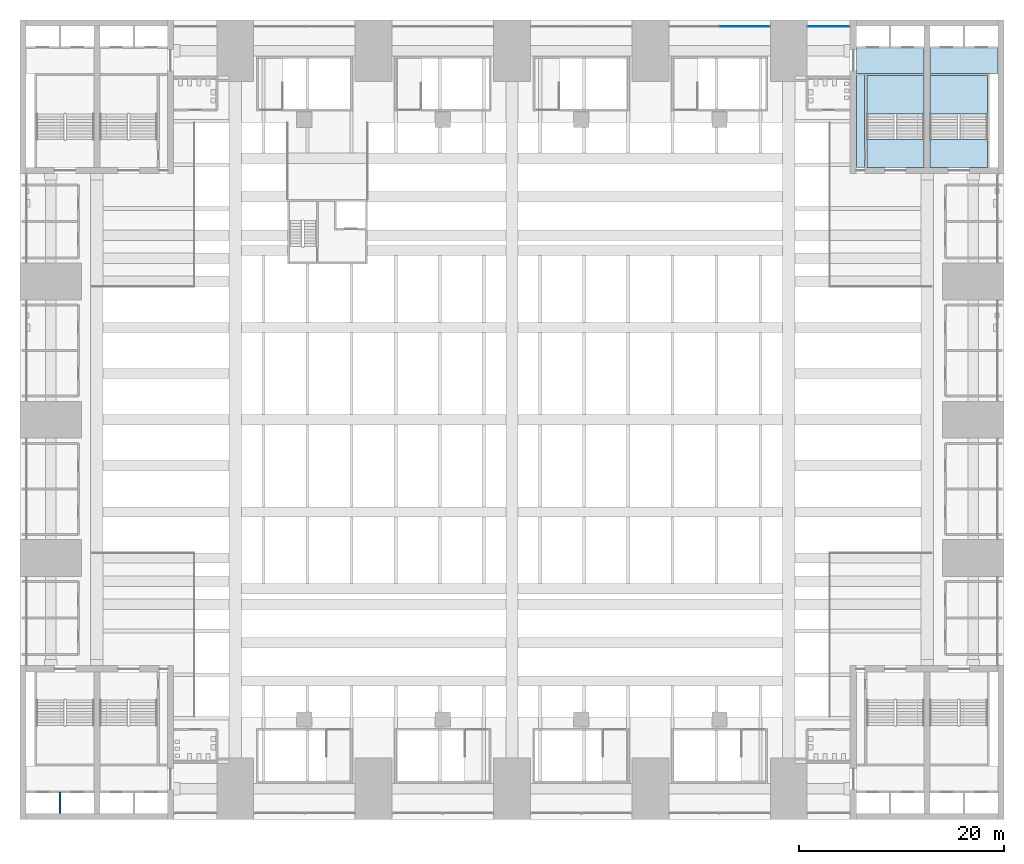
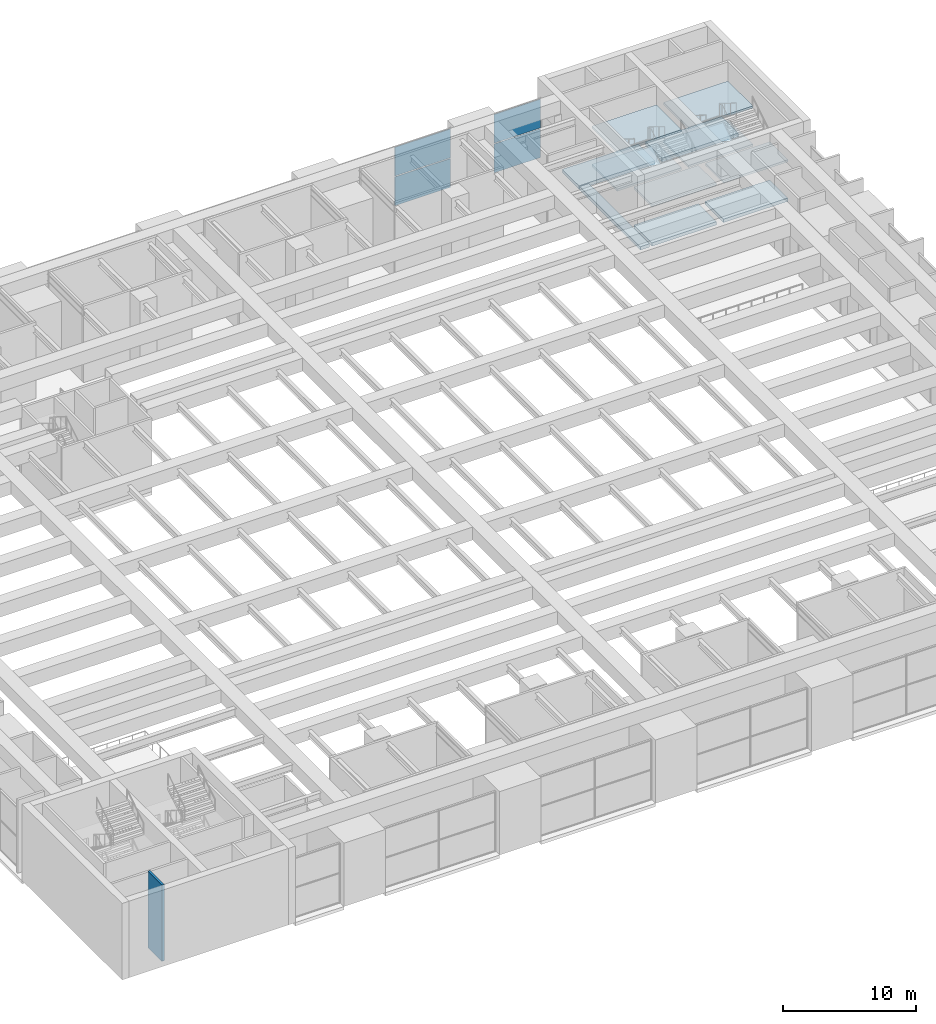
# One storey, part 24 of 45: 11 slabs, 4 plates, 1 wall, 4 elements without a shape of their own.
"""IFC4 building model written with IfcOpenShell, lengths in metres."""

from ifc_helpers import new_model, si_unit, direction, frame, frame_2d, origin, origin_2d, place, context, subcontext, project, spatial, polyline, rectangle, outline, extrude, material, layer, layer_set, type_object, element, aggregate, save


model = new_model("IFC4")

# Units and contexts
model_context = context("Model", 3, precision=1e-05, world=origin(), true_north=direction((0.0, 1.0)))
body_context = subcontext(model_context, "Body", "Model", "MODEL_VIEW")
ifc_project = project(units=[si_unit("LENGTHUNIT", "METRE"), si_unit("AREAUNIT", "SQUARE_METRE"), si_unit("VOLUMEUNIT", "CUBIC_METRE"), si_unit("PLANEANGLEUNIT", "RADIAN"), si_unit("MASSUNIT", "GRAM", prefix="KILO")], contexts=[model_context])

# Site, building, storey
site_placement = place(None, origin())
site = spatial("IfcSite", under=ifc_project, at=site_placement, CompositionType="ELEMENT")
building_placement = place(site_placement, origin())
building = spatial("IfcBuilding", under=site, at=building_placement, Name="Corbelhall Arena Tower", CompositionType="ELEMENT")
storey_placement = place(building_placement, frame((0.0, 0.0, 37.0)))
storey = spatial("IfcBuildingStorey", under=building, at=storey_placement, Name="L05", CompositionType="ELEMENT", Elevation=37.0)

# Stair, slabs
ifc_material_1 = material(Name="Reinforced concrete C40/50", Category="concrete")
stair_type = type_object("IfcStairType", Name="AR-EXIT-STAIR", PredefinedType="HALF_TURN_STAIR", material=ifc_material_1)
stair_1_placement = place(storey_placement, origin())
stair_1 = element("IfcStair", 1, at=stair_1_placement, inside=storey, type_object=stair_type, Name="L05 exit stair AS1", PredefinedType="HALF_TURN_STAIR")
ifc_layer_1 = layer(ifc_material_1, 0.199951171875)
ifc_layer_set_1 = layer_set([ifc_layer_1], Name="AR-EXIT-LANDING")
slab_type_1 = type_object("IfcSlabType", Name="AR-EXIT-LANDING", PredefinedType="LANDING", material=ifc_layer_set_1)
slab_1_placement = place(storey_placement, frame((0.0, 0.0, 1.550048828125)))
slab_1 = element("IfcSlab", 2, at=slab_1_placement, type_object=slab_type_1, Name="AS1 landing 1", PredefinedType="LANDING", context=body_context, shape_type="SweptSolid", body=[
    extrude(outline(polyline([(40.199951171875, 29.840087890625), (40.199951171875, 33.60009765625), (34.610107421875, 33.60009765625), (34.610107421875, 29.840087890625), (40.199951171875, 29.840087890625)])), origin(), (0.0, 0.0, 1.0), 0.199951171875),
])
slab_2_placement = place(storey_placement, frame((0.0, 0.0, 3.300048828125)))
slab_2 = element("IfcSlab", 3, at=slab_2_placement, type_object=slab_type_1, Name="AS1 landing 2", PredefinedType="LANDING", context=body_context, shape_type="SweptSolid", body=[
    extrude(outline(polyline([(40.199951171875, 24.60009765625), (40.199951171875, 27.320068359375), (34.610107421875, 27.320068359375), (34.610107421875, 24.60009765625), (40.199951171875, 24.60009765625)])), origin(), (0.0, 0.0, 1.0), 0.199951171875),
])
slab_3_placement = place(storey_placement, frame((0.0, 0.0, 5.050048828125)))
slab_3 = element("IfcSlab", 4, at=slab_3_placement, type_object=slab_type_1, Name="AS1 landing 3", PredefinedType="LANDING", context=body_context, shape_type="SweptSolid", body=[
    extrude(outline(polyline([(40.199951171875, 29.840087890625), (40.199951171875, 33.60009765625), (34.610107421875, 33.60009765625), (34.610107421875, 29.840087890625), (40.199951171875, 29.840087890625)])), origin(), (0.0, 0.0, 1.0), 0.199951171875),
])
aggregate(stair_1, [slab_1, slab_2, slab_3])

stair_2_placement = place(storey_placement, origin())
stair_2 = element("IfcStair", 5, at=stair_2_placement, inside=storey, type_object=stair_type, Name="L05 exit stair AS2", PredefinedType="HALF_TURN_STAIR")
slab_4_placement = place(storey_placement, frame((0.0, 0.0, 1.550048828125)))
slab_4 = element("IfcSlab", 6, at=slab_4_placement, type_object=slab_type_1, Name="AS2 landing 1", PredefinedType="LANDING", context=body_context, shape_type="SweptSolid", body=[
    extrude(outline(polyline([(46.389892578125, 29.840087890625), (46.389892578125, 33.60009765625), (40.800048828125, 33.60009765625), (40.800048828125, 29.840087890625), (46.389892578125, 29.840087890625)])), origin(), (0.0, 0.0, 1.0), 0.199951171875),
])
slab_5_placement = place(storey_placement, frame((0.0, 0.0, 3.300048828125)))
slab_5 = element("IfcSlab", 7, at=slab_5_placement, type_object=slab_type_1, Name="AS2 landing 2", PredefinedType="LANDING", context=body_context, shape_type="SweptSolid", body=[
    extrude(outline(polyline([(46.389892578125, 24.60009765625), (46.389892578125, 27.320068359375), (40.800048828125, 27.320068359375), (40.800048828125, 24.60009765625), (46.389892578125, 24.60009765625)])), origin(), (0.0, 0.0, 1.0), 0.199951171875),
])
slab_6_placement = place(storey_placement, frame((0.0, 0.0, 5.050048828125)))
slab_6 = element("IfcSlab", 8, at=slab_6_placement, type_object=slab_type_1, Name="AS2 landing 3", PredefinedType="LANDING", context=body_context, shape_type="SweptSolid", body=[
    extrude(outline(polyline([(46.389892578125, 29.840087890625), (46.389892578125, 33.60009765625), (40.800048828125, 33.60009765625), (40.800048828125, 29.840087890625), (46.389892578125, 29.840087890625)])), origin(), (0.0, 0.0, 1.0), 0.199951171875),
])
aggregate(stair_2, [slab_4, slab_5, slab_6])

# Slabs
ifc_layer_2 = layer(ifc_material_1, 0.300048828125)
ifc_layer_set_2 = layer_set([ifc_layer_2], Name="AR-STAIR-FLOOR")
slab_type_2 = type_object("IfcSlabType", Name="AR-STAIR-FLOOR", PredefinedType="FLOOR", material=ifc_layer_set_2)
slab_7_placement = place(storey_placement, frame((0.0, 0.0, -0.300048828125)))
element("IfcSlab", 9, at=slab_7_placement, inside=storey, type_object=slab_type_2, Name="Stair AS1 floor", PredefinedType="FLOOR", context=body_context, shape_type="SweptSolid", body=[
    extrude(outline(polyline([(40.199951171875, 24.60009765625), (34.610107421875, 24.60009765625), (34.610107421875, 27.322998046875), (40.199951171875, 27.322998046875), (40.199951171875, 24.60009765625)])), origin(), (0.0, 0.0, 1.0), 0.300048828125),
])
slab_8_placement = place(storey_placement, frame((0.0, 0.0, -0.300048828125)))
element("IfcSlab", 10, at=slab_8_placement, inside=storey, type_object=slab_type_2, Name="Stair AS2 floor", PredefinedType="FLOOR", context=body_context, shape_type="SweptSolid", body=[
    extrude(outline(polyline([(46.389892578125, 24.60009765625), (40.800048828125, 24.60009765625), (40.800048828125, 27.322998046875), (46.389892578125, 27.322998046875), (46.389892578125, 24.60009765625)])), origin(), (0.0, 0.0, 1.0), 0.300048828125),
])
slab_9_placement = place(storey_placement, frame((0.0, 0.0, -0.300048828125)))
element("IfcSlab", 11, at=slab_9_placement, inside=storey, type_object=slab_type_2, Name="Lift lobby floor NE", PredefinedType="FLOOR", context=body_context, shape_type="SweptSolid", body=[
    extrude(outline(polyline([(40.199951171875, 33.800048828125), (40.199951171875, 36.300048828125), (33.60009765625, 36.300048828125), (33.60009765625, 33.800048828125), (40.199951171875, 33.800048828125)])), origin(), (0.0, 0.0, 1.0), 0.300048828125),
])
slab_10_placement = place(storey_placement, frame((0.0, 0.0, -0.300048828125)))
element("IfcSlab", 12, at=slab_10_placement, inside=storey, type_object=slab_type_2, Name="Lift lobby floor NE", PredefinedType="FLOOR", context=body_context, shape_type="SweptSolid", body=[
    extrude(outline(polyline([(47.39990234375, 33.800048828125), (47.39990234375, 36.300048828125), (40.800048828125, 36.300048828125), (40.800048828125, 33.800048828125), (47.39990234375, 33.800048828125)])), origin(), (0.0, 0.0, 1.0), 0.300048828125),
])
slab_11_placement = place(storey_placement, frame((0.0, 0.0, -0.300048828125)))
element("IfcSlab", 13, at=slab_11_placement, inside=storey, type_object=slab_type_2, Name="Electrical plant room 01 floor", PredefinedType="FLOOR", context=body_context, shape_type="SweptSolid", body=[
    extrude(outline(polyline([(34.409912109375, 24.60009765625), (34.409912109375, 33.699951171875), (33.60009765625, 33.699951171875), (33.60009765625, 24.60009765625), (34.409912109375, 24.60009765625)])), origin(), (0.0, 0.0, 1.0), 0.300048828125),
])

# Curtain wall, plates
ifc_material_2 = material(Name="Aluminium black anodised", Category="aluminium")
ifc_layer_3 = layer(ifc_material_2, 0.239990234375)
ifc_layer_set_3 = layer_set([ifc_layer_3], Name="EV-CW4 Arena concourse glazing")
curtain_wall_type = type_object("IfcCurtainWallType", Name="EV-CW4 Arena concourse glazing", PredefinedType="NOTDEFINED", material=ifc_layer_set_3)
curtain_wall_1_placement = place(storey_placement, origin())
curtain_wall_1 = element("IfcCurtainWall", 14, at=curtain_wall_1_placement, inside=storey, type_object=curtain_wall_type, Name="Curtain wall CW4A", PredefinedType="NOTDEFINED")
ifc_material_3 = material(Name="Glass dark tinted laminated", Category="glass")
ifc_layer_4 = layer(ifc_material_3, 0.028076171875)
ifc_layer_set_4 = layer_set([ifc_layer_4], Name="EV-CW4-PANEL")
plate_type = type_object("IfcPlateType", Name="EV-CW4-PANEL", PredefinedType="CURTAIN_PANEL", material=ifc_layer_set_4)
plate_1_placement = place(storey_placement, frame((30.89990234375, 38.3798828125, 0.0751953125), z_axis=(0.0, 0.0, 1.0), x_axis=(-1.0, 0.0, 0.0)))
plate_1 = element("IfcPlate", 15, at=plate_1_placement, type_object=plate_type, Name="CW4A panel 1.1", PredefinedType="CURTAIN_PANEL", context=body_context, shape_type="SweptSolid", body=[
    extrude(rectangle(XDim=4.050048828125, YDim=0.028076171875, at=origin_2d()), origin(), (0.0, 0.0, 1.0), 2.637451171875),
])
plate_2_placement = place(storey_placement, frame((30.89990234375, 38.3798828125, 2.78759765625), z_axis=(0.0, 0.0, 1.0), x_axis=(-1.0, 0.0, 0.0)))
plate_2 = element("IfcPlate", 16, at=plate_2_placement, type_object=plate_type, Name="CW4A panel 1.2", PredefinedType="CURTAIN_PANEL", context=body_context, shape_type="SweptSolid", body=[
    extrude(rectangle(XDim=4.050048828125, YDim=0.028076171875, at=origin_2d()), origin(), (0.0, 0.0, 1.0), 2.637451171875),
])
aggregate(curtain_wall_1, [plate_1, plate_2])

curtain_wall_2_placement = place(storey_placement, origin())
curtain_wall_2 = element("IfcCurtainWall", 17, at=curtain_wall_2_placement, inside=storey, type_object=curtain_wall_type, Name="Curtain wall CW4", PredefinedType="NOTDEFINED")
plate_3_placement = place(storey_placement, frame((22.706298828125, 38.3798828125, 0.0751953125), z_axis=(0.0, 0.0, 1.0), x_axis=(-1.0, 0.0, 0.0)))
plate_3 = element("IfcPlate", 18, at=plate_3_placement, type_object=plate_type, Name="CW4 panel 1.1", PredefinedType="CURTAIN_PANEL", context=body_context, shape_type="SweptSolid", body=[
    extrude(rectangle(XDim=4.83740234375, YDim=0.028076171875, at=origin_2d()), origin(), (0.0, 0.0, 1.0), 2.637451171875),
])
plate_4_placement = place(storey_placement, frame((22.706298828125, 38.3798828125, 2.78759765625), z_axis=(0.0, 0.0, 1.0), x_axis=(-1.0, 0.0, 0.0)))
plate_4 = element("IfcPlate", 19, at=plate_4_placement, type_object=plate_type, Name="CW4 panel 1.2", PredefinedType="CURTAIN_PANEL", context=body_context, shape_type="SweptSolid", body=[
    extrude(rectangle(XDim=4.83740234375, YDim=0.028076171875, at=origin_2d()), origin(), (0.0, 0.0, 1.0), 2.637451171875),
])
aggregate(curtain_wall_2, [plate_3, plate_4])

# Wall
ifc_layer_5 = layer(ifc_material_1, 0.199951171875)
ifc_layer_set_5 = layer_set([ifc_layer_5], Name="AR-SHAFT-WALL")
wall_type = type_object("IfcWallType", Name="AR-SHAFT-WALL", PredefinedType="SHEAR", material=ifc_layer_set_5)
wall_placement = place(storey_placement, frame((-44.10009765625, -38.39990234375, 0.0), z_axis=(0.0, 0.0, 1.0), x_axis=(0.0, 1.0, 0.0)))
element("IfcWall", 20, at=wall_placement, inside=storey, type_object=wall_type, Name="Shaft wall SW", PredefinedType="SHEAR", context=body_context, shape_type="SweptSolid", body=[
    extrude(rectangle(XDim=2.099853515625, YDim=0.199951171875, at=frame_2d((1.0498046875, 0.0))), origin(), (0.0, 0.0, 1.0), 7.0),
])

save(model, "model.ifc")
